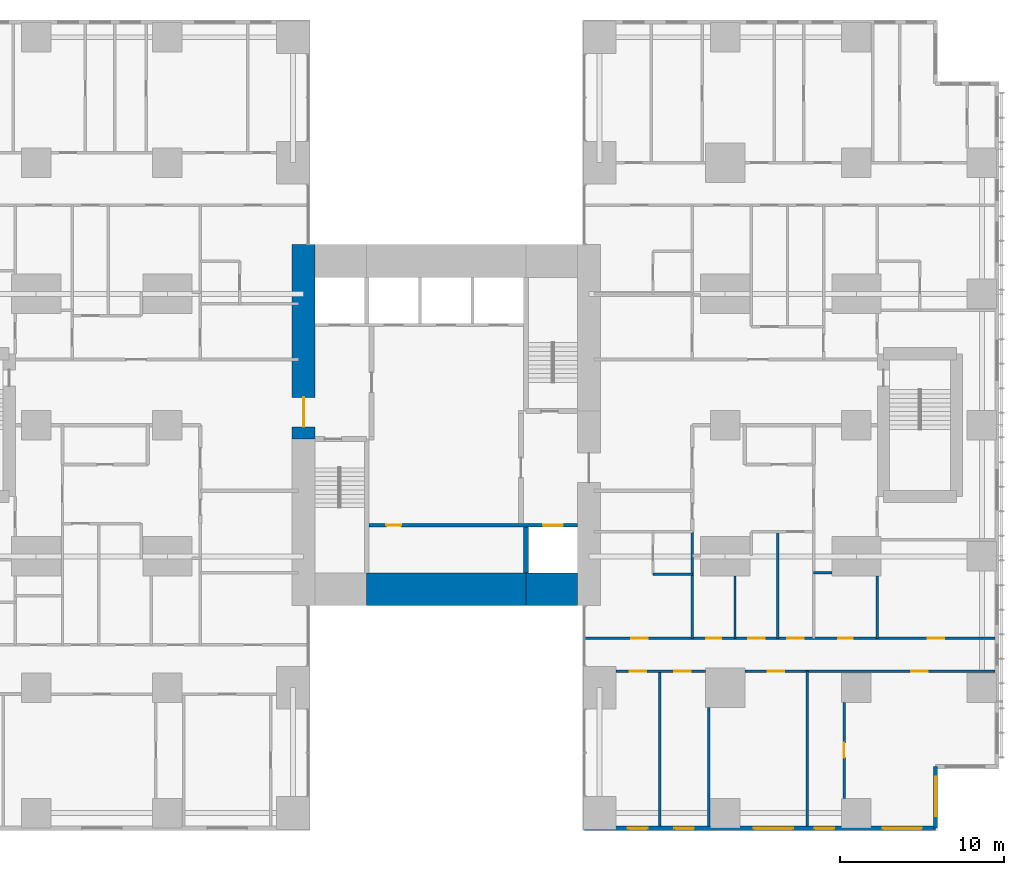
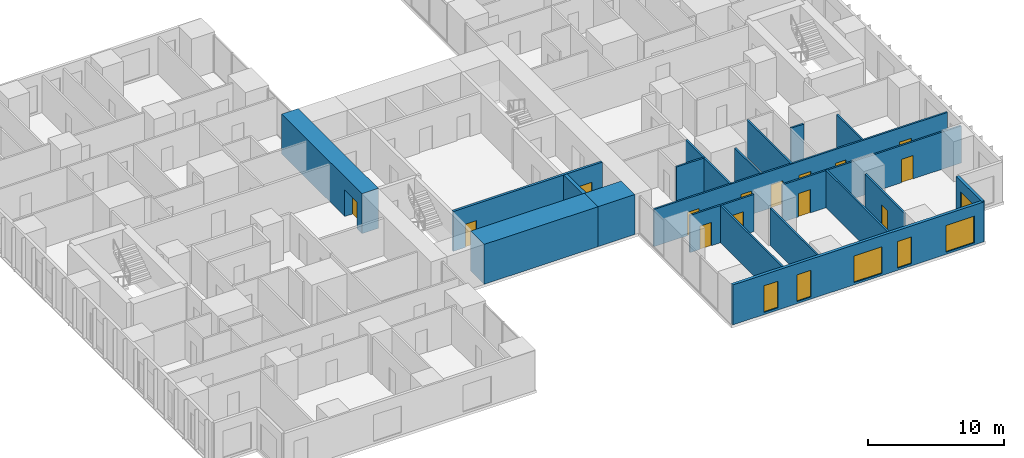
# One storey, part 14 of 20: 20 walls, 14 doors, 6 windows, 20 openings.
"""IFC4 building model written with IfcOpenShell, lengths in metres."""

from ifc_helpers import new_model, si_unit, direction, frame, frame_2d, origin, place, context, subcontext, project, spatial, rectangle, extrude, material, layer, layer_set, type_object, element, fill, save


model = new_model("IFC4")

# Units and contexts
model_context = context("Model", 3, precision=1e-05, world=origin(), true_north=direction((0.0, 1.0)))
body_context = subcontext(model_context, "Body", "Model", "MODEL_VIEW")
ifc_project = project(units=[si_unit("LENGTHUNIT", "METRE"), si_unit("AREAUNIT", "SQUARE_METRE"), si_unit("VOLUMEUNIT", "CUBIC_METRE"), si_unit("PLANEANGLEUNIT", "RADIAN"), si_unit("MASSUNIT", "GRAM", prefix="KILO")], contexts=[model_context])

# Site, building, storey
site_placement = place(None, origin())
site = spatial("IfcSite", under=ifc_project, at=site_placement, CompositionType="ELEMENT")
building_placement = place(site_placement, origin())
building = spatial("IfcBuilding", under=site, at=building_placement, Name="Cleftline Residences", CompositionType="ELEMENT")
storey_placement = place(building_placement, frame((0.0, 0.0, 211.0)))
storey = spatial("IfcBuildingStorey", under=building, at=storey_placement, Name="L55", CompositionType="ELEMENT", Elevation=211.0)

# Wall, opening, door
ifc_material_1 = material(Name="Concrete B70", Category="concrete")
ifc_layer_1 = layer(ifc_material_1, 1.39990234375)
ifc_layer_set_1 = layer_set([ifc_layer_1], Name="CORE WALL 1400")
wall_type_1 = type_object("IfcWallType", Name="CORE WALL 1400", PredefinedType="SHEAR", material=ifc_layer_set_1)
wall_1_placement = place(storey_placement, frame((24.300048828125, 23.14990234375, 0.0), z_axis=(0.0, 0.0, 1.0), x_axis=(0.0, 1.0, 0.0)))
wall_1 = element("IfcWall", 1, at=wall_1_placement, inside=storey, type_object=wall_type_1, Name="Core wall W", PredefinedType="SHEAR", context=body_context, shape_type="SweptSolid", body=[
    extrude(rectangle(XDim=11.85009765625, YDim=1.39990234375, at=frame_2d((5.925048828125, 0.0))), origin(), (0.0, 0.0, 1.0), 3.60009765625),
])
opening_1_placement = place(wall_1_placement, frame((0.75, 0.0, 0.0)))
opening_1 = element("IfcOpeningElement", 2, at=opening_1_placement, cuts=wall_1, Name="Opening D7", PredefinedType="OPENING", context=body_context, shape_type="SweptSolid", body=[
    extrude(rectangle(XDim=1.800048828125, YDim=2.39990234375, at=frame_2d((0.89990234375, 1.199951171875))), frame((0.0, 0.7099609375, 0.0), z_axis=(0.0, -1.0, 0.0), x_axis=(1.0, 0.0, 0.0)), (0.0, 0.0, 1.0), 1.419921875),
])
ifc_material_2 = material(Name="Steel", Category="steel")
door_type_1 = type_object("IfcDoorType", Name="WING DOOR 1800X2400", OperationType="DOUBLE_DOOR_DOUBLE_SWING", PredefinedType="DOOR", material=ifc_material_2)
door_1_placement = place(opening_1_placement, origin())
door_1 = element("IfcDoor", 3, at=door_1_placement, inside=storey, type_object=door_type_1, Name="West wing door", OperationType="DOUBLE_DOOR_DOUBLE_SWING", OverallHeight=2.39990234375, OverallWidth=1.800048828125, PredefinedType="DOOR", context=body_context, shape_type="SweptSolid", body=[
    extrude(rectangle(XDim=1.800048828125, YDim=2.39990234375, at=frame_2d((0.89990234375, 1.199951171875))), frame((0.0, 0.02490234375, 0.0), z_axis=(0.0, -1.0, 0.0), x_axis=(1.0, 0.0, 0.0)), (0.0, 0.0, 1.0), 0.050048828125),
])
fill(opening_1, door_1)

# Walls
ifc_material_3 = material(Name="Concrete B70", Category="concrete")
ifc_layer_2 = layer(ifc_material_3, 2.0)
ifc_layer_set_2 = layer_set([ifc_layer_2], Name="CORE WALL 2000")
wall_type_2 = type_object("IfcWallType", Name="CORE WALL 2000", PredefinedType="SHEAR", material=ifc_layer_set_2)
wall_2_placement = place(storey_placement, frame((28.14990234375, 14.0, 0.0), z_axis=(0.0, 0.0, 1.0), x_axis=(1.0, 0.0, 0.0)))
element("IfcWall", 4, at=wall_2_placement, inside=storey, type_object=wall_type_2, Name="Core wall S2", PredefinedType="SHEAR", context=body_context, shape_type="SweptSolid", body=[
    extrude(rectangle(XDim=9.7001953125, YDim=2.0, at=frame_2d((4.85009765625, 0.0))), origin(), (0.0, 0.0, 1.0), 3.60009765625),
])
wall_3_placement = place(storey_placement, frame((37.85009765625, 14.0, 0.0), z_axis=(0.0, 0.0, 1.0), x_axis=(1.0, 0.0, 0.0)))
element("IfcWall", 5, at=wall_3_placement, inside=storey, type_object=wall_type_2, Name="Core wall S3", PredefinedType="SHEAR", context=body_context, shape_type="SweptSolid", body=[
    extrude(rectangle(XDim=3.14990234375, YDim=2.0, at=frame_2d((1.574951171875, 0.0))), origin(), (0.0, 0.0, 1.0), 3.60009765625),
])
ifc_material_4 = material(Name="Concrete B70", Category="concrete")
ifc_layer_3 = layer(ifc_material_4, 0.300048828125)
ifc_layer_set_3 = layer_set([ifc_layer_3], Name="CORE WALL 300")
wall_type_3 = type_object("IfcWallType", Name="CORE WALL 300", PredefinedType="SHEAR", material=ifc_layer_set_3)
wall_4_placement = place(storey_placement, frame((37.85009765625, 15.0, 0.0), z_axis=(0.0, 0.0, 1.0), x_axis=(0.0, 1.0, 0.0)))
element("IfcWall", 6, at=wall_4_placement, inside=storey, type_object=wall_type_3, Name="Lift shaft wall", PredefinedType="SHEAR", context=body_context, shape_type="SweptSolid", body=[
    extrude(rectangle(XDim=2.800048828125, YDim=0.300048828125, at=frame_2d((1.39990234375, 0.0))), origin(), (0.0, 0.0, 1.0), 3.60009765625),
])

# Wall, openings, windows
ifc_material_5 = material(Name="Rendered reinforced concrete blockwork", Category="masonry")
ifc_layer_4 = layer(ifc_material_5, 0.25)
ifc_layer_set_4 = layer_set([ifc_layer_4], Name="EXTERNAL WALL 250")
wall_type_4 = type_object("IfcWallType", Name="EXTERNAL WALL 250", PredefinedType="SOLIDWALL", material=ifc_layer_set_4)
wall_5_placement = place(storey_placement, frame((41.425048828125, -0.574951171875, 0.0), z_axis=(0.0, 0.0, 1.0), x_axis=(1.0, 0.0, 0.0)))
wall_5 = element("IfcWall", 7, at=wall_5_placement, inside=storey, type_object=wall_type_4, Name="External wall", PredefinedType="SOLIDWALL", context=body_context, shape_type="SweptSolid", body=[
    extrude(rectangle(XDim=21.39990234375, YDim=0.25, at=frame_2d((10.699951171875, 0.0))), origin(), (0.0, 0.0, 1.0), 3.60009765625),
])
opening_2_placement = place(wall_5_placement, frame((2.64990234375, 0.0, 0.199951171875)))
opening_2 = element("IfcOpeningElement", 8, at=opening_2_placement, cuts=wall_5, Name="Opening W13", PredefinedType="OPENING", context=body_context, shape_type="SweptSolid", body=[
    extrude(rectangle(XDim=1.199951171875, YDim=2.39990234375, at=frame_2d((0.60009765625, 1.199951171875))), frame((0.0, 0.135009765625, 0.0), z_axis=(0.0, -1.0, 0.0), x_axis=(1.0, 0.0, 0.0)), (0.0, 0.0, 1.0), 0.27001953125),
])
opening_3_placement = place(wall_5_placement, frame((5.47509765625, 0.0, 0.199951171875)))
opening_3 = element("IfcOpeningElement", 9, at=opening_3_placement, cuts=wall_5, Name="Opening W13", PredefinedType="OPENING", context=body_context, shape_type="SweptSolid", body=[
    extrude(rectangle(XDim=1.199951171875, YDim=2.39990234375, at=frame_2d((0.60009765625, 1.199951171875))), frame((0.0, 0.135009765625, 0.0), z_axis=(0.0, -1.0, 0.0), x_axis=(1.0, 0.0, 0.0)), (0.0, 0.0, 1.0), 0.27001953125),
])
opening_4_placement = place(wall_5_placement, frame((10.324951171875, 0.0, 0.199951171875)))
opening_4 = element("IfcOpeningElement", 10, at=opening_4_placement, cuts=wall_5, Name="Opening W9", PredefinedType="OPENING", context=body_context, shape_type="SweptSolid", body=[
    extrude(rectangle(XDim=2.39990234375, YDim=2.39990234375, at=frame_2d((1.199951171875, 1.199951171875))), frame((0.0, 0.135009765625, 0.0), z_axis=(0.0, -1.0, 0.0), x_axis=(1.0, 0.0, 0.0)), (0.0, 0.0, 1.0), 0.27001953125),
])
opening_5_placement = place(wall_5_placement, frame((14.02490234375, 0.0, 0.199951171875)))
opening_5 = element("IfcOpeningElement", 11, at=opening_5_placement, cuts=wall_5, Name="Opening W13", PredefinedType="OPENING", context=body_context, shape_type="SweptSolid", body=[
    extrude(rectangle(XDim=1.199951171875, YDim=2.39990234375, at=frame_2d((0.60009765625, 1.199951171875))), frame((0.0, 0.135009765625, 0.0), z_axis=(0.0, -1.0, 0.0), x_axis=(1.0, 0.0, 0.0)), (0.0, 0.0, 1.0), 0.27001953125),
])
opening_6_placement = place(wall_5_placement, frame((18.175048828125, 0.0, 0.199951171875)))
opening_6 = element("IfcOpeningElement", 12, at=opening_6_placement, cuts=wall_5, Name="Opening W9", PredefinedType="OPENING", context=body_context, shape_type="SweptSolid", body=[
    extrude(rectangle(XDim=2.39990234375, YDim=2.39990234375, at=frame_2d((1.199951171875, 1.199951171875))), frame((0.0, 0.135009765625, 0.0), z_axis=(0.0, -1.0, 0.0), x_axis=(1.0, 0.0, 0.0)), (0.0, 0.0, 1.0), 0.27001953125),
])
ifc_material_6 = material(Name="Aluminium frame, clear double glazing", Category="aluminium")
window_type_1 = type_object("IfcWindowType", Name="WINDOW 1200X2400", PartitioningType="DOUBLE_PANEL_VERTICAL", PredefinedType="WINDOW", material=ifc_material_6)
window_1_placement = place(opening_2_placement, origin())
window_1 = element("IfcWindow", 13, at=window_1_placement, inside=storey, type_object=window_type_1, Name="Window", OverallHeight=2.39990234375, OverallWidth=1.199951171875, PartitioningType="SINGLE_PANEL", PredefinedType="WINDOW", context=body_context, shape_type="SweptSolid", body=[
    extrude(rectangle(XDim=1.199951171875, YDim=2.39990234375, at=frame_2d((0.60009765625, 1.199951171875))), frame((0.0, 0.030029296875, 0.0), z_axis=(0.0, -1.0, 0.0), x_axis=(1.0, 0.0, 0.0)), (0.0, 0.0, 1.0), 0.06005859375),
])
fill(opening_2, window_1)
window_2_placement = place(opening_3_placement, origin())
window_2 = element("IfcWindow", 14, at=window_2_placement, inside=storey, type_object=window_type_1, Name="Window", OverallHeight=2.39990234375, OverallWidth=1.199951171875, PartitioningType="SINGLE_PANEL", PredefinedType="WINDOW", context=body_context, shape_type="SweptSolid", body=[
    extrude(rectangle(XDim=1.199951171875, YDim=2.39990234375, at=frame_2d((0.60009765625, 1.199951171875))), frame((0.0, 0.030029296875, 0.0), z_axis=(0.0, -1.0, 0.0), x_axis=(1.0, 0.0, 0.0)), (0.0, 0.0, 1.0), 0.06005859375),
])
fill(opening_3, window_2)
window_3_placement = place(opening_5_placement, origin())
window_3 = element("IfcWindow", 15, at=window_3_placement, inside=storey, type_object=window_type_1, Name="Window", OverallHeight=2.39990234375, OverallWidth=1.199951171875, PartitioningType="SINGLE_PANEL", PredefinedType="WINDOW", context=body_context, shape_type="SweptSolid", body=[
    extrude(rectangle(XDim=1.199951171875, YDim=2.39990234375, at=frame_2d((0.60009765625, 1.199951171875))), frame((0.0, 0.030029296875, 0.0), z_axis=(0.0, -1.0, 0.0), x_axis=(1.0, 0.0, 0.0)), (0.0, 0.0, 1.0), 0.06005859375),
])
fill(opening_5, window_3)
ifc_material_7 = material(Name="Aluminium frame, clear double glazing", Category="aluminium")
window_type_2 = type_object("IfcWindowType", Name="WINDOW 2400X2400", PartitioningType="DOUBLE_PANEL_VERTICAL", PredefinedType="WINDOW", material=ifc_material_7)
window_4_placement = place(opening_4_placement, origin())
window_4 = element("IfcWindow", 16, at=window_4_placement, inside=storey, type_object=window_type_2, Name="Window", OverallHeight=2.39990234375, OverallWidth=2.39990234375, PartitioningType="SINGLE_PANEL", PredefinedType="WINDOW", context=body_context, shape_type="SweptSolid", body=[
    extrude(rectangle(XDim=2.39990234375, YDim=2.39990234375, at=frame_2d((1.199951171875, 1.199951171875))), frame((0.0, 0.030029296875, 0.0), z_axis=(0.0, -1.0, 0.0), x_axis=(1.0, 0.0, 0.0)), (0.0, 0.0, 1.0), 0.06005859375),
])
fill(opening_4, window_4)
window_5_placement = place(opening_6_placement, origin())
window_5 = element("IfcWindow", 17, at=window_5_placement, inside=storey, type_object=window_type_2, Name="Window", OverallHeight=2.39990234375, OverallWidth=2.39990234375, PartitioningType="SINGLE_PANEL", PredefinedType="WINDOW", context=body_context, shape_type="SweptSolid", body=[
    extrude(rectangle(XDim=2.39990234375, YDim=2.39990234375, at=frame_2d((1.199951171875, 1.199951171875))), frame((0.0, 0.030029296875, 0.0), z_axis=(0.0, -1.0, 0.0), x_axis=(1.0, 0.0, 0.0)), (0.0, 0.0, 1.0), 0.06005859375),
])
fill(opening_6, window_5)

# Wall, opening, window
wall_6_placement = place(storey_placement, frame((62.824951171875, -0.574951171875, 0.0), z_axis=(0.0, 0.0, 1.0), x_axis=(0.0, 1.0, 0.0)))
wall_6 = element("IfcWall", 18, at=wall_6_placement, inside=storey, type_object=wall_type_4, Name="External wall", PredefinedType="SOLIDWALL", context=body_context, shape_type="SweptSolid", body=[
    extrude(rectangle(XDim=3.75, YDim=0.25, at=frame_2d((1.875, 0.0))), origin(), (0.0, 0.0, 1.0), 3.60009765625),
])
opening_7_placement = place(wall_6_placement, frame((0.737548828125, 0.0, 0.199951171875)))
opening_7 = element("IfcOpeningElement", 19, at=opening_7_placement, cuts=wall_6, Name="Opening W9", PredefinedType="OPENING", context=body_context, shape_type="SweptSolid", body=[
    extrude(rectangle(XDim=2.39990234375, YDim=2.39990234375, at=frame_2d((1.199951171875, 1.199951171875))), frame((0.0, 0.135009765625, 0.0), z_axis=(0.0, -1.0, 0.0), x_axis=(1.0, 0.0, 0.0)), (0.0, 0.0, 1.0), 0.27001953125),
])
window_6_placement = place(opening_7_placement, origin())
window_6 = element("IfcWindow", 20, at=window_6_placement, inside=storey, type_object=window_type_2, Name="Window", OverallHeight=2.39990234375, OverallWidth=2.39990234375, PartitioningType="SINGLE_PANEL", PredefinedType="WINDOW", context=body_context, shape_type="SweptSolid", body=[
    extrude(rectangle(XDim=2.39990234375, YDim=2.39990234375, at=frame_2d((1.199951171875, 1.199951171875))), frame((0.0, 0.030029296875, 0.0), z_axis=(0.0, -1.0, 0.0), x_axis=(1.0, 0.0, 0.0)), (0.0, 0.0, 1.0), 0.06005859375),
])
fill(opening_7, window_6)

# Wall, openings, doors
ifc_material_8 = material(Name="Gypsum board on steel studs", Category="steel")
ifc_layer_5 = layer(ifc_material_8, 0.14990234375)
ifc_layer_set_5 = layer_set([ifc_layer_5], Name="PARTITION 150")
wall_type_5 = type_object("IfcWallType", Name="PARTITION 150", PredefinedType="PARTITIONING", material=ifc_layer_set_5)
wall_7_placement = place(storey_placement, frame((43.35009765625, 9.0, 0.0), z_axis=(0.0, 0.0, 1.0), x_axis=(1.0, 0.0, 0.0)))
wall_7 = element("IfcWall", 21, at=wall_7_placement, inside=storey, type_object=wall_type_5, Name="Partition", PredefinedType="PARTITIONING", context=body_context, shape_type="SweptSolid", body=[
    extrude(rectangle(XDim=5.449951171875, YDim=0.14990234375, at=frame_2d((2.72509765625, 0.0))), origin(), (0.0, 0.0, 1.0), 3.35009765625),
])
opening_8_placement = place(wall_7_placement, frame((3.550048828125, 0.0, 0.0)))
opening_8 = element("IfcOpeningElement", 22, at=opening_8_placement, cuts=wall_7, Name="Opening D2", PredefinedType="OPENING", context=body_context, shape_type="SweptSolid", body=[
    extrude(rectangle(XDim=1.0, YDim=2.10009765625, at=frame_2d((0.5, 1.050048828125))), frame((0.0, 0.0849609375, 0.0), z_axis=(0.0, -1.0, 0.0), x_axis=(1.0, 0.0, 0.0)), (0.0, 0.0, 1.0), 0.169921875),
])
opening_9_placement = place(wall_7_placement, frame((0.824951171875, 0.0, 0.0)))
opening_9 = element("IfcOpeningElement", 23, at=opening_9_placement, cuts=wall_7, Name="Opening D2", PredefinedType="OPENING", context=body_context, shape_type="SweptSolid", body=[
    extrude(rectangle(XDim=1.0, YDim=2.10009765625, at=frame_2d((0.5, 1.050048828125))), frame((0.0, 0.0849609375, 0.0), z_axis=(0.0, -1.0, 0.0), x_axis=(1.0, 0.0, 0.0)), (0.0, 0.0, 1.0), 0.169921875),
])
ifc_material_9 = material(Name="Timber veneer on solid core", Category="wood")
door_type_2 = type_object("IfcDoorType", Name="DOOR 1000X2100", OperationType="SINGLE_SWING_LEFT", PredefinedType="DOOR", material=ifc_material_9)
door_2_placement = place(opening_8_placement, origin())
door_2 = element("IfcDoor", 24, at=door_2_placement, inside=storey, type_object=door_type_2, Name="Door to breakfast room", OperationType="SINGLE_SWING_LEFT", OverallHeight=2.10009765625, OverallWidth=1.0, PredefinedType="DOOR", context=body_context, shape_type="SweptSolid", body=[
    extrude(rectangle(XDim=1.0, YDim=2.10009765625, at=frame_2d((0.5, 1.050048828125))), frame((0.0, 0.02490234375, 0.0), z_axis=(0.0, -1.0, 0.0), x_axis=(1.0, 0.0, 0.0)), (0.0, 0.0, 1.0), 0.050048828125),
])
fill(opening_8, door_2)
door_3_placement = place(opening_9_placement, origin())
door_3 = element("IfcDoor", 25, at=door_3_placement, inside=storey, type_object=door_type_2, Name="Door to show kitchen", OperationType="SINGLE_SWING_RIGHT", OverallHeight=2.10009765625, OverallWidth=1.0, PredefinedType="DOOR", context=body_context, shape_type="SweptSolid", body=[
    extrude(rectangle(XDim=1.0, YDim=2.10009765625, at=frame_2d((0.5, 1.050048828125))), frame((0.0, 0.02490234375, 0.0), z_axis=(0.0, -1.0, 0.0), x_axis=(1.0, 0.0, 0.0)), (0.0, 0.0, 1.0), 0.050048828125),
])
fill(opening_9, door_3)

wall_8_placement = place(storey_placement, frame((51.199951171875, 9.0, 0.0), z_axis=(0.0, 0.0, 1.0), x_axis=(1.0, 0.0, 0.0)))
wall_8 = element("IfcWall", 26, at=wall_8_placement, inside=storey, type_object=wall_type_5, Name="Partition", PredefinedType="PARTITIONING", context=body_context, shape_type="SweptSolid", body=[
    extrude(rectangle(XDim=15.25, YDim=0.14990234375, at=frame_2d((7.625, 0.0))), origin(), (0.0, 0.0, 1.0), 3.35009765625),
])
opening_10_placement = place(wall_8_placement, frame((10.14990234375, 0.0, 0.0)))
opening_10 = element("IfcOpeningElement", 27, at=opening_10_placement, cuts=wall_8, Name="Opening D2", PredefinedType="OPENING", context=body_context, shape_type="SweptSolid", body=[
    extrude(rectangle(XDim=1.0, YDim=2.10009765625, at=frame_2d((0.5, 1.050048828125))), frame((0.0, 0.0849609375, 0.0), z_axis=(0.0, -1.0, 0.0), x_axis=(1.0, 0.0, 0.0)), (0.0, 0.0, 1.0), 0.169921875),
])
opening_11_placement = place(wall_8_placement, frame((1.39990234375, 0.0, 0.0)))
opening_11 = element("IfcOpeningElement", 28, at=opening_11_placement, cuts=wall_8, Name="Opening D2", PredefinedType="OPENING", context=body_context, shape_type="SweptSolid", body=[
    extrude(rectangle(XDim=1.0, YDim=2.10009765625, at=frame_2d((0.5, 1.050048828125))), frame((0.0, 0.0849609375, 0.0), z_axis=(0.0, -1.0, 0.0), x_axis=(1.0, 0.0, 0.0)), (0.0, 0.0, 1.0), 0.169921875),
])
door_4_placement = place(opening_10_placement, origin())
door_4 = element("IfcDoor", 29, at=door_4_placement, inside=storey, type_object=door_type_2, Name="Door to sea-view living room", OperationType="SINGLE_SWING_LEFT", OverallHeight=2.10009765625, OverallWidth=1.0, PredefinedType="DOOR", context=body_context, shape_type="SweptSolid", body=[
    extrude(rectangle(XDim=1.0, YDim=2.10009765625, at=frame_2d((0.5, 1.050048828125))), frame((0.0, 0.02490234375, 0.0), z_axis=(0.0, -1.0, 0.0), x_axis=(1.0, 0.0, 0.0)), (0.0, 0.0, 1.0), 0.050048828125),
])
fill(opening_10, door_4)
door_5_placement = place(opening_11_placement, origin())
door_5 = element("IfcDoor", 30, at=door_5_placement, inside=storey, type_object=door_type_2, Name="Door to dining room", OperationType="SINGLE_SWING_RIGHT", OverallHeight=2.10009765625, OverallWidth=1.0, PredefinedType="DOOR", context=body_context, shape_type="SweptSolid", body=[
    extrude(rectangle(XDim=1.0, YDim=2.10009765625, at=frame_2d((0.5, 1.050048828125))), frame((0.0, 0.02490234375, 0.0), z_axis=(0.0, -1.0, 0.0), x_axis=(1.0, 0.0, 0.0)), (0.0, 0.0, 1.0), 0.050048828125),
])
fill(opening_11, door_5)

wall_9_placement = place(storey_placement, frame((41.43896484375, 11.0, 0.0), z_axis=(0.0, 0.0, 1.0), x_axis=(1.0, 0.0, 0.0)))
wall_9 = element("IfcWall", 31, at=wall_9_placement, inside=storey, type_object=wall_type_5, Name="Partition", PredefinedType="PARTITIONING", context=body_context, shape_type="SweptSolid", body=[
    extrude(rectangle(XDim=25.010986328125, YDim=0.14990234375, at=frame_2d((12.50537109375, 0.0))), origin(), (0.0, 0.0, 1.0), 3.35009765625),
])
opening_12_placement = place(wall_9_placement, frame((12.361083984375, 0.0, 0.0)))
opening_12 = element("IfcOpeningElement", 32, at=opening_12_placement, cuts=wall_9, Name="Opening D2F30", PredefinedType="OPENING", context=body_context, shape_type="SweptSolid", body=[
    extrude(rectangle(XDim=1.0, YDim=2.10009765625, at=frame_2d((0.5, 1.050048828125))), frame((0.0, 0.0849609375, 0.0), z_axis=(0.0, -1.0, 0.0), x_axis=(1.0, 0.0, 0.0)), (0.0, 0.0, 1.0), 0.169921875),
])
opening_13_placement = place(wall_9_placement, frame((20.923583984375, 0.0, 0.0)))
opening_13 = element("IfcOpeningElement", 33, at=opening_13_placement, cuts=wall_9, Name="Opening D2F30", PredefinedType="OPENING", context=body_context, shape_type="SweptSolid", body=[
    extrude(rectangle(XDim=1.0, YDim=2.10009765625, at=frame_2d((0.5, 1.050048828125))), frame((0.0, 0.0849609375, 0.0), z_axis=(0.0, -1.0, 0.0), x_axis=(1.0, 0.0, 0.0)), (0.0, 0.0, 1.0), 0.169921875),
])
opening_14_placement = place(wall_9_placement, frame((15.448486328125, 0.0, 0.0)))
opening_14 = element("IfcOpeningElement", 34, at=opening_14_placement, cuts=wall_9, Name="Opening D1F30", PredefinedType="OPENING", context=body_context, shape_type="SweptSolid", body=[
    extrude(rectangle(XDim=0.89990234375, YDim=2.10009765625, at=frame_2d((0.449951171875, 1.050048828125))), frame((0.0, 0.0849609375, 0.0), z_axis=(0.0, -1.0, 0.0), x_axis=(1.0, 0.0, 0.0)), (0.0, 0.0, 1.0), 0.169921875),
])
opening_15_placement = place(wall_9_placement, frame((9.9609375, 0.0, 0.0)))
opening_15 = element("IfcOpeningElement", 35, at=opening_15_placement, cuts=wall_9, Name="Opening D2F30", PredefinedType="OPENING", context=body_context, shape_type="SweptSolid", body=[
    extrude(rectangle(XDim=1.0, YDim=2.10009765625, at=frame_2d((0.5, 1.050048828125))), frame((0.0, 0.0849609375, 0.0), z_axis=(0.0, -1.0, 0.0), x_axis=(1.0, 0.0, 0.0)), (0.0, 0.0, 1.0), 0.169921875),
])
opening_16_placement = place(wall_9_placement, frame((7.410888671875, 0.0, 0.0)))
opening_16 = element("IfcOpeningElement", 36, at=opening_16_placement, cuts=wall_9, Name="Opening D1F30", PredefinedType="OPENING", context=body_context, shape_type="SweptSolid", body=[
    extrude(rectangle(XDim=0.89990234375, YDim=2.10009765625, at=frame_2d((0.449951171875, 1.050048828125))), frame((0.0, 0.0849609375, 0.0), z_axis=(0.0, -1.0, 0.0), x_axis=(1.0, 0.0, 0.0)), (0.0, 0.0, 1.0), 0.169921875),
])
opening_17_placement = place(wall_9_placement, frame((2.8359375, 0.0, 0.0)))
opening_17 = element("IfcOpeningElement", 37, at=opening_17_placement, cuts=wall_9, Name="Opening D2F30", PredefinedType="OPENING", context=body_context, shape_type="SweptSolid", body=[
    extrude(rectangle(XDim=1.0, YDim=2.10009765625, at=frame_2d((0.5, 1.050048828125))), frame((0.0, 0.0849609375, 0.0), z_axis=(0.0, -1.0, 0.0), x_axis=(1.0, 0.0, 0.0)), (0.0, 0.0, 1.0), 0.169921875),
])
ifc_material_10 = material(Name="Timber veneer on solid core", Category="wood")
door_type_3 = type_object("IfcDoorType", Name="DOOR 1000X2100 EI 30", OperationType="SINGLE_SWING_LEFT", PredefinedType="DOOR", material=ifc_material_10)
door_6_placement = place(opening_12_placement, origin())
door_6 = element("IfcDoor", 38, at=door_6_placement, inside=storey, type_object=door_type_3, Name="Door to residence hall (gallery)", OperationType="SINGLE_SWING_LEFT", OverallHeight=2.10009765625, OverallWidth=1.0, PredefinedType="DOOR", context=body_context, shape_type="SweptSolid", body=[
    extrude(rectangle(XDim=1.0, YDim=2.10009765625, at=frame_2d((0.5, 1.050048828125))), frame((0.0, 0.02490234375, 0.0), z_axis=(0.0, -1.0, 0.0), x_axis=(1.0, 0.0, 0.0)), (0.0, 0.0, 1.0), 0.050048828125),
])
fill(opening_12, door_6)
door_7_placement = place(opening_13_placement, origin())
door_7 = element("IfcDoor", 39, at=door_7_placement, inside=storey, type_object=door_type_3, Name="Door to altar room", OperationType="SINGLE_SWING_LEFT", OverallHeight=2.10009765625, OverallWidth=1.0, PredefinedType="DOOR", context=body_context, shape_type="SweptSolid", body=[
    extrude(rectangle(XDim=1.0, YDim=2.10009765625, at=frame_2d((0.5, 1.050048828125))), frame((0.0, 0.02490234375, 0.0), z_axis=(0.0, -1.0, 0.0), x_axis=(1.0, 0.0, 0.0)), (0.0, 0.0, 1.0), 0.050048828125),
])
fill(opening_13, door_7)
door_8_placement = place(opening_15_placement, origin())
door_8 = element("IfcDoor", 40, at=door_8_placement, inside=storey, type_object=door_type_3, Name="Door to wet kitchen", OperationType="SINGLE_SWING_RIGHT", OverallHeight=2.10009765625, OverallWidth=1.0, PredefinedType="DOOR", context=body_context, shape_type="SweptSolid", body=[
    extrude(rectangle(XDim=1.0, YDim=2.10009765625, at=frame_2d((0.5, 1.050048828125))), frame((0.0, 0.02490234375, 0.0), z_axis=(0.0, -1.0, 0.0), x_axis=(1.0, 0.0, 0.0)), (0.0, 0.0, 1.0), 0.050048828125),
])
fill(opening_15, door_8)
door_9_placement = place(opening_17_placement, origin())
door_9 = element("IfcDoor", 41, at=door_9_placement, inside=storey, type_object=door_type_3, Name="Door to staff bedroom", OperationType="SINGLE_SWING_RIGHT", OverallHeight=2.10009765625, OverallWidth=1.0, PredefinedType="DOOR", context=body_context, shape_type="SweptSolid", body=[
    extrude(rectangle(XDim=1.0, YDim=2.10009765625, at=frame_2d((0.5, 1.050048828125))), frame((0.0, 0.02490234375, 0.0), z_axis=(0.0, -1.0, 0.0), x_axis=(1.0, 0.0, 0.0)), (0.0, 0.0, 1.0), 0.050048828125),
])
fill(opening_17, door_9)
ifc_material_11 = material(Name="Timber veneer on solid core", Category="wood")
door_type_4 = type_object("IfcDoorType", Name="DOOR 900X2100 EI 30", OperationType="SINGLE_SWING_LEFT", PredefinedType="DOOR", material=ifc_material_11)
door_10_placement = place(opening_14_placement, origin())
door_10 = element("IfcDoor", 42, at=door_10_placement, inside=storey, type_object=door_type_4, Name="Door to store room", OperationType="SINGLE_SWING_LEFT", OverallHeight=2.10009765625, OverallWidth=0.89990234375, PredefinedType="DOOR", context=body_context, shape_type="SweptSolid", body=[
    extrude(rectangle(XDim=0.89990234375, YDim=2.10009765625, at=frame_2d((0.449951171875, 1.050048828125))), frame((0.0, 0.02490234375, 0.0), z_axis=(0.0, -1.0, 0.0), x_axis=(1.0, 0.0, 0.0)), (0.0, 0.0, 1.0), 0.050048828125),
])
fill(opening_14, door_10)
door_11_placement = place(opening_16_placement, origin())
door_11 = element("IfcDoor", 43, at=door_11_placement, inside=storey, type_object=door_type_4, Name="Door to pantry", OperationType="SINGLE_SWING_RIGHT", OverallHeight=2.10009765625, OverallWidth=0.89990234375, PredefinedType="DOOR", context=body_context, shape_type="SweptSolid", body=[
    extrude(rectangle(XDim=0.89990234375, YDim=2.10009765625, at=frame_2d((0.449951171875, 1.050048828125))), frame((0.0, 0.02490234375, 0.0), z_axis=(0.0, -1.0, 0.0), x_axis=(1.0, 0.0, 0.0)), (0.0, 0.0, 1.0), 0.050048828125),
])
fill(opening_16, door_11)

# Walls
wall_10_placement = place(storey_placement, frame((45.60009765625, 14.89990234375, 0.0), z_axis=(0.0, 0.0, 1.0), x_axis=(1.0, 0.0, 0.0)))
element("IfcWall", 44, at=wall_10_placement, inside=storey, type_object=wall_type_5, Name="Partition", PredefinedType="PARTITIONING", context=body_context, shape_type="SweptSolid", body=[
    extrude(rectangle(XDim=2.39990234375, YDim=0.14990234375, at=frame_2d((1.199951171875, 0.0))), origin(), (0.0, 0.0, 1.0), 3.35009765625),
])
wall_11_placement = place(storey_placement, frame((55.39990234375, 15.0, 0.0), z_axis=(0.0, 0.0, 1.0), x_axis=(1.0, 0.0, 0.0)))
element("IfcWall", 45, at=wall_11_placement, inside=storey, type_object=wall_type_5, Name="Partition", PredefinedType="PARTITIONING", context=body_context, shape_type="SweptSolid", body=[
    extrude(rectangle(XDim=1.10009765625, YDim=0.14990234375, at=frame_2d((0.550048828125, 0.0))), origin(), (0.0, 0.0, 1.0), 3.35009765625),
])
wall_12_placement = place(storey_placement, frame((46.0, -0.449951171875, 0.0), z_axis=(0.0, 0.0, 1.0), x_axis=(0.0, 1.0, 0.0)))
element("IfcWall", 46, at=wall_12_placement, inside=storey, type_object=wall_type_5, Name="Partition", PredefinedType="PARTITIONING", context=body_context, shape_type="SweptSolid", body=[
    extrude(rectangle(XDim=9.449951171875, YDim=0.14990234375, at=frame_2d((4.72509765625, 0.0))), origin(), (0.0, 0.0, 1.0), 3.35009765625),
])
wall_13_placement = place(storey_placement, frame((48.0, 11.0, 0.0), z_axis=(0.0, 0.0, 1.0), x_axis=(0.0, 1.0, 0.0)))
element("IfcWall", 47, at=wall_13_placement, inside=storey, type_object=wall_type_5, Name="Partition", PredefinedType="PARTITIONING", context=body_context, shape_type="SweptSolid", body=[
    extrude(rectangle(XDim=6.5, YDim=0.14990234375, at=frame_2d((3.25, 0.0))), origin(), (0.0, 0.0, 1.0), 3.35009765625),
])
wall_14_placement = place(storey_placement, frame((49.0, -0.449951171875, 0.0), z_axis=(0.0, 0.0, 1.0), x_axis=(0.0, 1.0, 0.0)))
element("IfcWall", 48, at=wall_14_placement, inside=storey, type_object=wall_type_5, Name="Partition", PredefinedType="PARTITIONING", context=body_context, shape_type="SweptSolid", body=[
    extrude(rectangle(XDim=7.25, YDim=0.14990234375, at=frame_2d((3.625, 0.0))), origin(), (0.0, 0.0, 1.0), 3.35009765625),
])
wall_15_placement = place(storey_placement, frame((50.60009765625, 11.0, 0.0), z_axis=(0.0, 0.0, 1.0), x_axis=(0.0, 1.0, 0.0)))
element("IfcWall", 49, at=wall_15_placement, inside=storey, type_object=wall_type_5, Name="Partition", PredefinedType="PARTITIONING", context=body_context, shape_type="SweptSolid", body=[
    extrude(rectangle(XDim=3.800048828125, YDim=0.14990234375, at=frame_2d((1.89990234375, 0.0))), origin(), (0.0, 0.0, 1.0), 3.35009765625),
])
wall_16_placement = place(storey_placement, frame((53.199951171875, 11.0, 0.0), z_axis=(0.0, 0.0, 1.0), x_axis=(0.0, 1.0, 0.0)))
element("IfcWall", 50, at=wall_16_placement, inside=storey, type_object=wall_type_5, Name="Partition", PredefinedType="PARTITIONING", context=body_context, shape_type="SweptSolid", body=[
    extrude(rectangle(XDim=6.5, YDim=0.14990234375, at=frame_2d((3.25, 0.0))), origin(), (0.0, 0.0, 1.0), 3.35009765625),
])
wall_17_placement = place(storey_placement, frame((55.0, -0.449951171875, 0.0), z_axis=(0.0, 0.0, 1.0), x_axis=(0.0, 1.0, 0.0)))
element("IfcWall", 51, at=wall_17_placement, inside=storey, type_object=wall_type_5, Name="Partition", PredefinedType="PARTITIONING", context=body_context, shape_type="SweptSolid", body=[
    extrude(rectangle(XDim=9.449951171875, YDim=0.14990234375, at=frame_2d((4.72509765625, 0.0))), origin(), (0.0, 0.0, 1.0), 3.35009765625),
])

# Wall, opening, door
wall_18_placement = place(storey_placement, frame((57.25, 1.25, 0.0), z_axis=(0.0, 0.0, 1.0), x_axis=(0.0, 1.0, 0.0)))
wall_18 = element("IfcWall", 52, at=wall_18_placement, inside=storey, type_object=wall_type_5, Name="Partition", PredefinedType="PARTITIONING", context=body_context, shape_type="SweptSolid", body=[
    extrude(rectangle(XDim=5.85009765625, YDim=0.14990234375, at=frame_2d((2.925048828125, 0.0))), origin(), (0.0, 0.0, 1.0), 3.35009765625),
])
opening_18_placement = place(wall_18_placement, frame((2.47509765625, 0.0, 0.0)))
opening_18 = element("IfcOpeningElement", 53, at=opening_18_placement, cuts=wall_18, Name="Opening D1", PredefinedType="OPENING", context=body_context, shape_type="SweptSolid", body=[
    extrude(rectangle(XDim=0.89990234375, YDim=2.10009765625, at=frame_2d((0.449951171875, 1.050048828125))), frame((0.0, 0.0849609375, 0.0), z_axis=(0.0, -1.0, 0.0), x_axis=(1.0, 0.0, 0.0)), (0.0, 0.0, 1.0), 0.169921875),
])
ifc_material_12 = material(Name="Timber veneer on solid core", Category="wood")
door_type_5 = type_object("IfcDoorType", Name="DOOR 900X2100", OperationType="SINGLE_SWING_LEFT", PredefinedType="DOOR", material=ifc_material_12)
door_12_placement = place(opening_18_placement, origin())
door_12 = element("IfcDoor", 54, at=door_12_placement, inside=storey, type_object=door_type_5, Name="Door to store room", OperationType="SINGLE_SWING_LEFT", OverallHeight=2.10009765625, OverallWidth=0.89990234375, PredefinedType="DOOR", context=body_context, shape_type="SweptSolid", body=[
    extrude(rectangle(XDim=0.89990234375, YDim=2.10009765625, at=frame_2d((0.449951171875, 1.050048828125))), frame((0.0, 0.02490234375, 0.0), z_axis=(0.0, -1.0, 0.0), x_axis=(1.0, 0.0, 0.0)), (0.0, 0.0, 1.0), 0.050048828125),
])
fill(opening_18, door_12)

# Wall
wall_19_placement = place(storey_placement, frame((59.27490234375, 11.0, 0.0), z_axis=(0.0, 0.0, 1.0), x_axis=(0.0, 1.0, 0.0)))
element("IfcWall", 55, at=wall_19_placement, inside=storey, type_object=wall_type_5, Name="Partition", PredefinedType="PARTITIONING", context=body_context, shape_type="SweptSolid", body=[
    extrude(rectangle(XDim=3.800048828125, YDim=0.14990234375, at=frame_2d((1.89990234375, 0.0))), origin(), (0.0, 0.0, 1.0), 3.35009765625),
])

# Wall, openings, doors
ifc_material_13 = material(Name="Concrete blockwork, fire rated", Category="masonry")
ifc_layer_6 = layer(ifc_material_13, 0.199951171875)
ifc_layer_set_6 = layer_set([ifc_layer_6], Name="SHAFT WALL 200")
wall_type_6 = type_object("IfcWallType", Name="SHAFT WALL 200", PredefinedType="PARTITIONING", material=ifc_layer_set_6)
wall_20_placement = place(storey_placement, frame((28.300048828125, 17.89990234375, 0.0), z_axis=(0.0, 0.0, 1.0), x_axis=(1.0, 0.0, 0.0)))
wall_20 = element("IfcWall", 56, at=wall_20_placement, inside=storey, type_object=wall_type_6, Name="Core room wall", PredefinedType="PARTITIONING", context=body_context, shape_type="SweptSolid", body=[
    extrude(rectangle(XDim=12.699951171875, YDim=0.199951171875, at=frame_2d((6.35009765625, 0.0))), origin(), (0.0, 0.0, 1.0), 3.60009765625),
])
opening_19_placement = place(wall_20_placement, frame((1.050048828125, 0.0, 0.0)))
opening_19 = element("IfcOpeningElement", 57, at=opening_19_placement, cuts=wall_20, Name="Opening D1F30", PredefinedType="OPENING", context=body_context, shape_type="SweptSolid", body=[
    extrude(rectangle(XDim=0.89990234375, YDim=2.10009765625, at=frame_2d((0.449951171875, 1.050048828125))), frame((0.0, 0.10986328125, 0.0), z_axis=(0.0, -1.0, 0.0), x_axis=(1.0, 0.0, 0.0)), (0.0, 0.0, 1.0), 0.219970703125),
])
opening_20_placement = place(wall_20_placement, frame((10.60009765625, 0.0, 0.0)))
opening_20 = element("IfcOpeningElement", 58, at=opening_20_placement, cuts=wall_20, Name="Opening LD2", PredefinedType="OPENING", context=body_context, shape_type="SweptSolid", body=[
    extrude(rectangle(XDim=1.199951171875, YDim=2.10009765625, at=frame_2d((0.60009765625, 1.050048828125))), frame((0.0, 0.10986328125, 0.0), z_axis=(0.0, -1.0, 0.0), x_axis=(1.0, 0.0, 0.0)), (0.0, 0.0, 1.0), 0.219970703125),
])
door_13_placement = place(opening_19_placement, origin())
door_13 = element("IfcDoor", 59, at=door_13_placement, inside=storey, type_object=door_type_4, Name="Door to linen store", OperationType="SINGLE_SWING_RIGHT", OverallHeight=2.10009765625, OverallWidth=0.89990234375, PredefinedType="DOOR", context=body_context, shape_type="SweptSolid", body=[
    extrude(rectangle(XDim=0.89990234375, YDim=2.10009765625, at=frame_2d((0.449951171875, 1.050048828125))), frame((0.0, 0.02490234375, 0.0), z_axis=(0.0, -1.0, 0.0), x_axis=(1.0, 0.0, 0.0)), (0.0, 0.0, 1.0), 0.050048828125),
])
fill(opening_19, door_13)
ifc_material_14 = material(Name="Steel", Category="steel")
door_type_6 = type_object("IfcDoorType", Name="FIREFIGHTING LIFT LANDING DOOR 1200X2100", OperationType="SLIDING_TO_LEFT", PredefinedType="DOOR", material=ifc_material_14)
door_14_placement = place(opening_20_placement, origin())
door_14 = element("IfcDoor", 60, at=door_14_placement, inside=storey, type_object=door_type_6, Name="Lift FL2 landing door", OperationType="SLIDING_TO_LEFT", OverallHeight=2.10009765625, OverallWidth=1.199951171875, PredefinedType="DOOR", context=body_context, shape_type="SweptSolid", body=[
    extrude(rectangle(XDim=1.199951171875, YDim=2.10009765625, at=frame_2d((0.60009765625, 1.050048828125))), frame((0.0, 0.02490234375, 0.0), z_axis=(0.0, -1.0, 0.0), x_axis=(1.0, 0.0, 0.0)), (0.0, 0.0, 1.0), 0.050048828125),
])
fill(opening_20, door_14)

save(model, "model.ifc")
